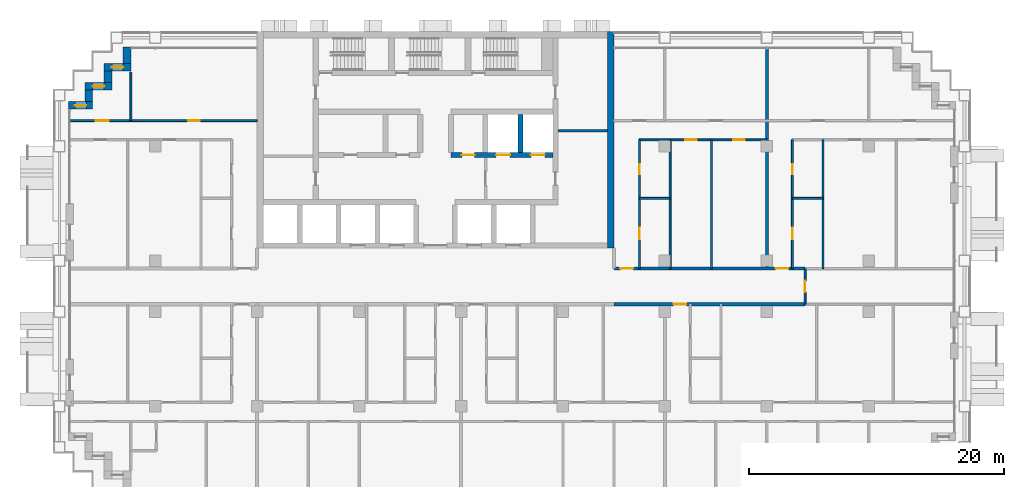
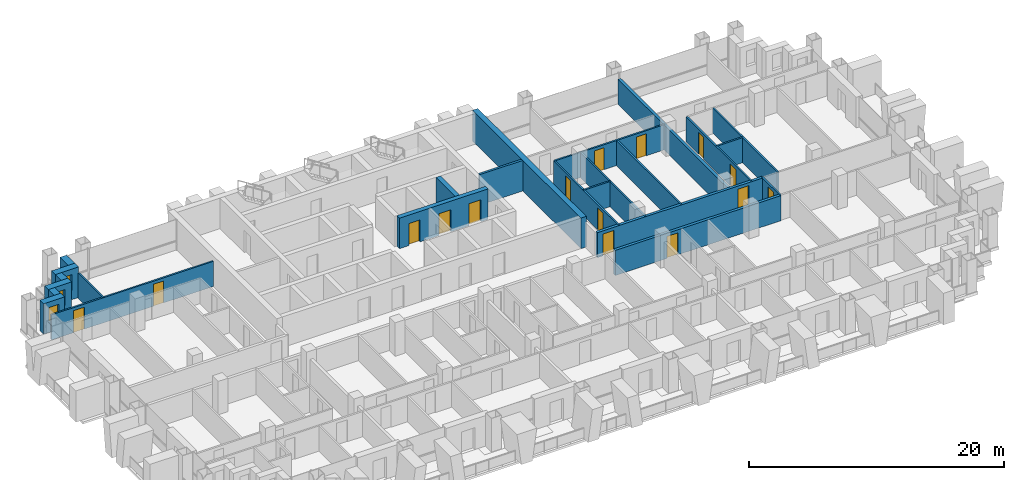
# One storey, part 12 of 18: 24 walls, 15 doors, 3 windows, 18 openings.
"""IFC4 building model written with IfcOpenShell, lengths in metres."""

import ifcopenshell
import ifcopenshell.guid

model = None  # the IFC model being written
_history = None  # IfcOwnerHistory: only IFC2X3 demands one
_inside = {}  # id of a spatial element -> (the spatial element, [elements in it])
_under = {}  # id of a project, library or spatial element -> (it, [spatial elements below it])
_declared = {}  # id of a project -> (the project, [libraries it declares])
_typed = {}  # id of a type object -> (the type object, [elements of that type])
_made_of = {}  # id of a material, layer set ... -> (it, [elements and type objects made of it])


def new_model(schema):
    """Start an empty IFC model of exactly this schema.

    Asked for "IFC4X3", IfcOpenShell would pick the latest addendum, in which some entities
    have other attributes; the version numbers below select the first issue.
    IFC2X3 requires an IfcOwnerHistory on every rooted entity: one is made here for all.
    """
    global model, _history
    if schema == "IFC4X3":
        model = ifcopenshell.file(schema_version=(4, 3, 0, 0))
    else:
        model = ifcopenshell.file(schema=schema)
    _inside.clear()
    _under.clear()
    _declared.clear()
    _typed.clear()
    _made_of.clear()
    _history = None
    if model.schema == "IFC2X3":
        org = make("IfcOrganization", Name="unknown")
        user = make(
            "IfcPersonAndOrganization",
            ThePerson=make("IfcPerson", FamilyName="unknown"),
            TheOrganization=org,
        )
        app = make(
            "IfcApplication",
            ApplicationDeveloper=org,
            Version="unknown",
            ApplicationFullName="unknown",
            ApplicationIdentifier="unknown",
        )
        _history = make(
            "IfcOwnerHistory",
            OwningUser=user,
            OwningApplication=app,
            ChangeAction="ADDED",
            CreationDate=0,
        )
    return model


def make(cls, **values):
    """One entity of the class cls with the attributes given. An attribute that is None is left unset."""
    return model.create_entity(
        cls, **{name: value for name, value in values.items() if value is not None}
    )


def rooted(cls, **values):
    """An entity with a GlobalId (a new one), such as an element, a storey or a relation."""
    return make(cls, GlobalId=ifcopenshell.guid.new(), OwnerHistory=_history, **values)


def si_unit(unit_type, name, prefix=None):
    """IfcSIUnit, for example si_unit("LENGTHUNIT", "METRE", prefix="MILLI")."""
    return make("IfcSIUnit", UnitType=unit_type, Prefix=prefix, Name=name)


def assignment(units):
    """IfcUnitAssignment: the units of a project."""
    return None if units is None else make("IfcUnitAssignment", Units=units)


def point(xyz):
    """IfcCartesianPoint."""
    return None if xyz is None else make("IfcCartesianPoint", Coordinates=xyz)


def direction(xyz):
    """IfcDirection."""
    return None if xyz is None else make("IfcDirection", DirectionRatios=xyz)


def frame(location, z_axis=None, x_axis=None):
    """IfcAxis2Placement3D, a coordinate frame: its origin and axes. An axis left out is left unset."""
    return make(
        "IfcAxis2Placement3D",
        Location=point(location),
        Axis=direction(z_axis),
        RefDirection=direction(x_axis),
    )


def frame_2d(location, x_axis=None):
    """IfcAxis2Placement2D, a coordinate frame in the plane: its origin and x axis."""
    return make(
        "IfcAxis2Placement2D", Location=point(location), RefDirection=direction(x_axis)
    )


def origin():
    """The frame at (0, 0, 0) with its axes left unset."""
    return frame((0.0, 0.0, 0.0))


def place(relative_to, where):
    """IfcLocalPlacement: puts the frame where relative to a parent placement (None: the world)."""
    return make(
        "IfcLocalPlacement", PlacementRelTo=relative_to, RelativePlacement=where
    )


def context(
    kind, dimensions, precision=None, world=None, true_north=None, identifier=None
):
    """IfcGeometricRepresentationContext, for example the 3D "Model" context."""
    return make(
        "IfcGeometricRepresentationContext",
        ContextIdentifier=identifier,
        ContextType=kind,
        CoordinateSpaceDimension=dimensions,
        Precision=precision,
        WorldCoordinateSystem=world,
        TrueNorth=true_north,
    )


def subcontext(parent, identifier, kind, view, scale=None):
    """IfcGeometricRepresentationSubContext, for example "Body" below "Model"."""
    return make(
        "IfcGeometricRepresentationSubContext",
        ContextIdentifier=identifier,
        ContextType=kind,
        ParentContext=parent,
        TargetScale=scale,
        TargetView=view,
    )


def project(units=None, contexts=None):
    """IfcProject with its units and contexts."""
    return rooted(
        "IfcProject",
        Name="project",
        RepresentationContexts=contexts,
        UnitsInContext=assignment(units),
    )


def spatial(cls, under=None, at=None, **own):
    """A site, building, storey or space (cls), placed at a placement, below another one or the project."""
    s = rooted(cls, ObjectPlacement=at, **own)
    if under is not None:
        _under.setdefault(under.id(), (under, []))[1].append(s)
    return s


def profile(cls, at=None, kind="AREA", **sizes):
    """A parametric profile (cls). Its sizes go by their IFC names, for example OverallWidth=200.0."""
    return make(cls, ProfileType=kind, Position=at, **sizes)


def rectangle(**sizes):
    """IfcRectangleProfileDef."""
    return profile("IfcRectangleProfileDef", **sizes)


def extrude(swept, where, along, depth):
    """IfcExtrudedAreaSolid: the profile swept, set in the frame where, extruded along a direction by depth."""
    return make(
        "IfcExtrudedAreaSolid",
        SweptArea=swept,
        Position=where,
        ExtrudedDirection=direction(along),
        Depth=depth,
    )


def shape(context_of_items, identifier, shape_type, items):
    """IfcShapeRepresentation: the items that make up one representation, for example the "Body"."""
    return make(
        "IfcShapeRepresentation",
        ContextOfItems=context_of_items,
        RepresentationIdentifier=identifier,
        RepresentationType=shape_type,
        Items=items,
    )


def material(Name=None, Category=None):
    """IfcMaterial."""
    return make("IfcMaterial", Name=Name, Category=Category)


def layer(
    of_material, thickness, ventilated=None, Name=None, Category=None, Priority=None
):
    """IfcMaterialLayer: one layer of a wall or slab, of a material (None: an air gap)."""
    return make(
        "IfcMaterialLayer",
        Material=of_material,
        LayerThickness=thickness,
        IsVentilated=ventilated,
        Name=Name,
        Category=Category,
        Priority=Priority,
    )


def layer_set(layers, Name=None):
    """IfcMaterialLayerSet."""
    return make("IfcMaterialLayerSet", MaterialLayers=layers, LayerSetName=Name)


def made_of(thing, what):
    """Note that an element or type object is made of a material, layer set ...; save() writes the relation."""
    if what is not None:
        _made_of.setdefault(what.id(), (what, []))[1].append(thing)
    return thing


def type_object(cls, material=None, **own):
    """A type object (cls), such as IfcWallType, which elements share."""
    return made_of(rooted(cls, **own), material)


def element(
    cls,
    number,
    at=None,
    inside=None,
    cuts=None,
    type_object=None,
    material=None,
    context=None,
    identifier="Body",
    shape_type=None,
    held_by="IfcProductDefinitionShape",
    body=None,
    shapes=None,
    **own,
):
    """One element of the class cls, such as IfcWall. Its Tag is "e" and its number.

    at: its placement. inside: the storey or other place that contains it. cuts: it is an
    opening in that element (IfcRelVoidsElement). A single representation is given by context,
    identifier, shape_type and body (its items); several are given by shapes. held_by: the class
    of the entity that holds the representations. save() writes the other relations.
    """
    e = rooted(cls, Tag="e%d" % number, ObjectPlacement=at, **own)
    if body is not None:
        shapes = [shape(context, identifier, shape_type, body)]
    if shapes is not None:
        e.Representation = make(held_by, Representations=shapes)
    if inside is not None:
        _inside.setdefault(inside.id(), (inside, []))[1].append(e)
    if cuts is not None:
        rooted(
            "IfcRelVoidsElement", RelatingBuildingElement=cuts, RelatedOpeningElement=e
        )
    if type_object is not None:
        _typed.setdefault(type_object.id(), (type_object, []))[1].append(e)
    return made_of(e, material)


def fill(opening, filler):
    """IfcRelFillsElement: the door or window that sits in an opening."""
    return rooted(
        "IfcRelFillsElement",
        RelatingOpeningElement=opening,
        RelatedBuildingElement=filler,
    )


def aggregate(whole, parts):
    """IfcRelAggregates: a whole, such as a stair, and the parts it consists of."""
    return rooted("IfcRelAggregates", RelatingObject=whole, RelatedObjects=parts)


def save(model, path):
    """Write the relations noted so far, then the file.

    IfcRelAggregates (storeys below a building ...), IfcRelContainedInSpatialStructure (elements
    in a storey), IfcRelDefinesByType, IfcRelAssociatesMaterial and IfcRelDeclares: one each for
    every whole, place, type object, material and project.
    """
    for whole, parts in _under.values():
        aggregate(whole, parts)
    for where, things in _inside.values():
        rooted(
            "IfcRelContainedInSpatialStructure",
            RelatedElements=things,
            RelatingStructure=where,
        )
    for kind, things in _typed.values():
        rooted("IfcRelDefinesByType", RelatedObjects=things, RelatingType=kind)
    for what, things in _made_of.values():
        rooted("IfcRelAssociatesMaterial", RelatedObjects=things, RelatingMaterial=what)
    for by, libraries in _declared.values():
        rooted("IfcRelDeclares", RelatingContext=by, RelatedDefinitions=libraries)
    model.write(path)


model = new_model("IFC4")

# Units and contexts
model_context = context("Model", 3, precision=1e-05, world=origin(), true_north=direction((0.0, 1.0)))
body_context = subcontext(model_context, "Body", "Model", "MODEL_VIEW")
ifc_project = project(units=[si_unit("LENGTHUNIT", "METRE"), si_unit("AREAUNIT", "SQUARE_METRE"), si_unit("VOLUMEUNIT", "CUBIC_METRE"), si_unit("PLANEANGLEUNIT", "RADIAN"), si_unit("MASSUNIT", "GRAM", prefix="KILO")], contexts=[model_context])

# Site, building, storey
site_placement = place(None, origin())
site = spatial("IfcSite", under=ifc_project, at=site_placement, CompositionType="ELEMENT")
building_placement = place(site_placement, origin())
building = spatial("IfcBuilding", under=site, at=building_placement, Name="Vidyagriha Tower", CompositionType="ELEMENT")
storey_placement = place(building_placement, frame((0.0, 0.0, 93.5)))
storey = spatial("IfcBuildingStorey", under=building, at=storey_placement, Name="L24", CompositionType="ELEMENT", Elevation=93.5)

# Wall
ifc_material_1 = material(Name="Precast concrete C40/50 with brick facing", Category="concrete")
ifc_layer_1 = layer(ifc_material_1, 0.60009765625)
ifc_layer_set_1 = layer_set([ifc_layer_1], Name="Precast concrete C40/50 with brick facing")
wall_type_1 = type_object("IfcWallType", Name="Brick-faced precast wall 600", PredefinedType="STANDARD", material=ifc_layer_set_1)
wall_1_placement = place(storey_placement, frame((-24.199951171875, 18.780029296875, 0.0), z_axis=(0.0, 0.0, 1.0), x_axis=(0.0, -1.0, 0.0)))
element("IfcWall", 1, at=wall_1_placement, inside=storey, type_object=wall_type_1, Name="Stepped corner wall L24 R10", PredefinedType="STANDARD", context=body_context, shape_type="SweptSolid", body=[
    extrude(rectangle(XDim=1.280029296875, YDim=0.60009765625, at=frame_2d((0.64013671875, 0.0))), origin(), (0.0, 0.0, 1.0), 2.919921875),
])

# Wall, opening, window
wall_2_placement = place(storey_placement, frame((-23.89990234375, 17.199951171875, 0.0), z_axis=(0.0, 0.0, 1.0), x_axis=(-1.0, 0.0, 0.0)))
wall_2 = element("IfcWall", 2, at=wall_2_placement, inside=storey, type_object=wall_type_1, Name="Stepped corner wall L24 R11", PredefinedType="STANDARD", context=body_context, shape_type="SweptSolid", body=[
    extrude(rectangle(XDim=2.10009765625, YDim=0.60009765625, at=frame_2d((1.050048828125, 0.0))), origin(), (0.0, 0.0, 1.0), 2.919921875),
])
opening_1_placement = place(wall_2_placement, frame((0.60009765625, 0.0, 0.89990234375)))
opening_1 = element("IfcOpeningElement", 3, at=opening_1_placement, cuts=wall_2, Name="Opening WN1", PredefinedType="OPENING", context=body_context, shape_type="SweptSolid", body=[
    extrude(rectangle(XDim=0.89990234375, YDim=1.5, at=frame_2d((0.449951171875, 0.75))), frame((0.0, 0.31005859375, 0.0), z_axis=(0.0, -1.0, 0.0), x_axis=(1.0, 0.0, 0.0)), (0.0, 0.0, 1.0), 0.6201171875),
])
ifc_material_2 = material(Name="Aluminium and glass window", Category="aluminium")
window_type = type_object("IfcWindowType", Name="Reveal window 900x1500", PartitioningType="NOTDEFINED", PredefinedType="WINDOW", material=ifc_material_2)
window_1_placement = place(opening_1_placement, origin())
window_1 = element("IfcWindow", 4, at=window_1_placement, inside=storey, type_object=window_type, Name="Reveal window L24 R11", OverallHeight=1.5, OverallWidth=0.89990234375, PartitioningType="SINGLE_PANEL", PredefinedType="WINDOW", context=body_context, shape_type="SweptSolid", body=[
    extrude(rectangle(XDim=0.89990234375, YDim=1.5, at=frame_2d((0.449951171875, 0.75))), frame((0.0, 0.030029296875, 0.0), z_axis=(0.0, -1.0, 0.0), x_axis=(1.0, 0.0, 0.0)), (0.0, 0.0, 1.0), 0.06005859375),
])
fill(opening_1, window_1)

# Wall
wall_3_placement = place(storey_placement, frame((-25.699951171875, 16.89990234375, 0.0), z_axis=(0.0, 0.0, 1.0), x_axis=(0.0, -1.0, 0.0)))
element("IfcWall", 5, at=wall_3_placement, inside=storey, type_object=wall_type_1, Name="Stepped corner wall L24 R12", PredefinedType="STANDARD", context=body_context, shape_type="SweptSolid", body=[
    extrude(rectangle(XDim=0.89990234375, YDim=0.60009765625, at=frame_2d((0.449951171875, 0.0))), origin(), (0.0, 0.0, 1.0), 2.919921875),
])

# Wall, opening, window
wall_4_placement = place(storey_placement, frame((-25.39990234375, 15.699951171875, 0.0), z_axis=(0.0, 0.0, 1.0), x_axis=(-1.0, 0.0, 0.0)))
wall_4 = element("IfcWall", 6, at=wall_4_placement, inside=storey, type_object=wall_type_1, Name="Stepped corner wall L24 R13", PredefinedType="STANDARD", context=body_context, shape_type="SweptSolid", body=[
    extrude(rectangle(XDim=2.10009765625, YDim=0.60009765625, at=frame_2d((1.050048828125, 0.0))), origin(), (0.0, 0.0, 1.0), 2.919921875),
])
opening_2_placement = place(wall_4_placement, frame((0.60009765625, 0.0, 0.89990234375)))
opening_2 = element("IfcOpeningElement", 7, at=opening_2_placement, cuts=wall_4, Name="Opening WN1", PredefinedType="OPENING", context=body_context, shape_type="SweptSolid", body=[
    extrude(rectangle(XDim=0.89990234375, YDim=1.5, at=frame_2d((0.449951171875, 0.75))), frame((0.0, 0.31005859375, 0.0), z_axis=(0.0, -1.0, 0.0), x_axis=(1.0, 0.0, 0.0)), (0.0, 0.0, 1.0), 0.6201171875),
])
window_2_placement = place(opening_2_placement, origin())
window_2 = element("IfcWindow", 8, at=window_2_placement, inside=storey, type_object=window_type, Name="Reveal window L24 R13", OverallHeight=1.5, OverallWidth=0.89990234375, PartitioningType="SINGLE_PANEL", PredefinedType="WINDOW", context=body_context, shape_type="SweptSolid", body=[
    extrude(rectangle(XDim=0.89990234375, YDim=1.5, at=frame_2d((0.449951171875, 0.75))), frame((0.0, 0.030029296875, 0.0), z_axis=(0.0, -1.0, 0.0), x_axis=(1.0, 0.0, 0.0)), (0.0, 0.0, 1.0), 0.06005859375),
])
fill(opening_2, window_2)

# Wall
wall_5_placement = place(storey_placement, frame((-27.199951171875, 15.39990234375, 0.0), z_axis=(0.0, 0.0, 1.0), x_axis=(0.0, -1.0, 0.0)))
element("IfcWall", 9, at=wall_5_placement, inside=storey, type_object=wall_type_1, Name="Stepped corner wall L24 R14", PredefinedType="STANDARD", context=body_context, shape_type="SweptSolid", body=[
    extrude(rectangle(XDim=0.89990234375, YDim=0.60009765625, at=frame_2d((0.449951171875, 0.0))), origin(), (0.0, 0.0, 1.0), 2.919921875),
])

# Wall, opening, window
wall_6_placement = place(storey_placement, frame((-26.89990234375, 14.199951171875, 0.0), z_axis=(0.0, 0.0, 1.0), x_axis=(-1.0, 0.0, 0.0)))
wall_6 = element("IfcWall", 10, at=wall_6_placement, inside=storey, type_object=wall_type_1, Name="Stepped corner wall L24 R15", PredefinedType="STANDARD", context=body_context, shape_type="SweptSolid", body=[
    extrude(rectangle(XDim=1.880126953125, YDim=0.60009765625, at=frame_2d((0.93994140625, 0.0))), origin(), (0.0, 0.0, 1.0), 2.919921875),
])
opening_3_placement = place(wall_6_placement, frame((0.489990234375, 0.0, 0.89990234375)))
opening_3 = element("IfcOpeningElement", 11, at=opening_3_placement, cuts=wall_6, Name="Opening WN1", PredefinedType="OPENING", context=body_context, shape_type="SweptSolid", body=[
    extrude(rectangle(XDim=0.89990234375, YDim=1.5, at=frame_2d((0.449951171875, 0.75))), frame((0.0, 0.31005859375, 0.0), z_axis=(0.0, -1.0, 0.0), x_axis=(1.0, 0.0, 0.0)), (0.0, 0.0, 1.0), 0.6201171875),
])
window_3_placement = place(opening_3_placement, origin())
window_3 = element("IfcWindow", 12, at=window_3_placement, inside=storey, type_object=window_type, Name="Reveal window L24 R15", OverallHeight=1.5, OverallWidth=0.89990234375, PartitioningType="SINGLE_PANEL", PredefinedType="WINDOW", context=body_context, shape_type="SweptSolid", body=[
    extrude(rectangle(XDim=0.89990234375, YDim=1.5, at=frame_2d((0.449951171875, 0.75))), frame((0.0, 0.030029296875, 0.0), z_axis=(0.0, -1.0, 0.0), x_axis=(1.0, 0.0, 0.0)), (0.0, 0.0, 1.0), 0.06005859375),
])
fill(opening_3, window_3)

# Wall, openings, doors
ifc_material_3 = material(Name="Concrete C60/75", Category="concrete")
ifc_layer_2 = layer(ifc_material_3, 0.39990234375)
ifc_layer_set_2 = layer_set([ifc_layer_2], Name="Concrete C60/75")
wall_type_2 = type_object("IfcWallType", Name="Core shear wall 400 mm", PredefinedType="SHEAR", material=ifc_layer_set_2)
wall_7_placement = place(storey_placement, frame((1.199951171875, 10.300048828125, 0.0)))
wall_7 = element("IfcWall", 13, at=wall_7_placement, inside=storey, type_object=wall_type_2, Name="Core row N front wall", PredefinedType="SHEAR", context=body_context, shape_type="SweptSolid", body=[
    extrude(rectangle(XDim=8.0, YDim=0.39990234375, at=frame_2d((4.0, 0.0))), origin(), (0.0, 0.0, 1.0), 2.919921875),
])
opening_4_placement = place(wall_7_placement, frame((3.550048828125, 0.0, 0.0)))
opening_4 = element("IfcOpeningElement", 14, at=opening_4_placement, cuts=wall_7, Name="Opening LD24-05", PredefinedType="OPENING", context=body_context, shape_type="SweptSolid", body=[
    extrude(rectangle(XDim=1.10009765625, YDim=2.10009765625, at=frame_2d((0.550048828125, 1.050048828125))), frame((0.0, 0.2099609375, 0.0), z_axis=(0.0, -1.0, 0.0), x_axis=(1.0, 0.0, 0.0)), (0.0, 0.0, 1.0), 0.419921875),
])
opening_5_placement = place(wall_7_placement, frame((6.283203125, 0.0, 0.0)))
opening_5 = element("IfcOpeningElement", 15, at=opening_5_placement, cuts=wall_7, Name="Opening LD24-06", PredefinedType="OPENING", context=body_context, shape_type="SweptSolid", body=[
    extrude(rectangle(XDim=1.10009765625, YDim=2.10009765625, at=frame_2d((0.550048828125, 1.050048828125))), frame((0.0, 0.2099609375, 0.0), z_axis=(0.0, -1.0, 0.0), x_axis=(1.0, 0.0, 0.0)), (0.0, 0.0, 1.0), 0.419921875),
])
opening_6_placement = place(wall_7_placement, frame((0.86669921875, 0.0, 0.0)))
opening_6 = element("IfcOpeningElement", 16, at=opening_6_placement, cuts=wall_7, Name="Opening D24-04", PredefinedType="OPENING", context=body_context, shape_type="SweptSolid", body=[
    extrude(rectangle(XDim=1.0, YDim=2.10009765625, at=frame_2d((0.5, 1.050048828125))), frame((0.0, 0.2099609375, 0.0), z_axis=(0.0, -1.0, 0.0), x_axis=(1.0, 0.0, 0.0)), (0.0, 0.0, 1.0), 0.419921875),
])
ifc_material_4 = material(Name="Hollow metal door leaf")
door_type_1 = type_object("IfcDoorType", Name="Core room door 1000 x 2100 mm EI 60", OperationType="NOTDEFINED", PredefinedType="DOOR", material=ifc_material_4)
door_1_placement = place(opening_6_placement, frame((1.0, 0.0, 0.0), z_axis=(0.0, 0.0, 1.0), x_axis=(-1.0, 0.0, 0.0)))
door_1 = element("IfcDoor", 17, at=door_1_placement, inside=storey, type_object=door_type_1, Name="Door Electrical Room 24.16", OperationType="SINGLE_SWING_LEFT", OverallHeight=2.10009765625, OverallWidth=1.0, PredefinedType="DOOR", context=body_context, shape_type="SweptSolid", body=[
    extrude(rectangle(XDim=1.0, YDim=2.10009765625, at=frame_2d((0.5, 1.050048828125))), frame((0.0, 0.02490234375, 0.0), z_axis=(0.0, -1.0, 0.0), x_axis=(1.0, 0.0, 0.0)), (0.0, 0.0, 1.0), 0.050048828125),
])
fill(opening_6, door_1)
ifc_material_5 = material(Name="Stainless steel sliding door panel", Category="steel")
door_type_2 = type_object("IfcDoorType", Name="Lift landing door 1100 x 2100 mm EI 90", OperationType="NOTDEFINED", PredefinedType="DOOR", material=ifc_material_5)
door_2_placement = place(opening_4_placement, origin())
door_2 = element("IfcDoor", 18, at=door_2_placement, inside=storey, type_object=door_type_2, Name="Landing door FF1 L24", OperationType="SLIDING_TO_LEFT", OverallHeight=2.10009765625, OverallWidth=1.10009765625, PredefinedType="DOOR", context=body_context, shape_type="SweptSolid", body=[
    extrude(rectangle(XDim=1.10009765625, YDim=2.10009765625, at=frame_2d((0.550048828125, 1.050048828125))), frame((0.0, 0.02490234375, 0.0), z_axis=(0.0, -1.0, 0.0), x_axis=(1.0, 0.0, 0.0)), (0.0, 0.0, 1.0), 0.050048828125),
])
fill(opening_4, door_2)
door_3_placement = place(opening_5_placement, origin())
door_3 = element("IfcDoor", 19, at=door_3_placement, inside=storey, type_object=door_type_2, Name="Landing door FF2 L24", OperationType="SLIDING_TO_LEFT", OverallHeight=2.10009765625, OverallWidth=1.10009765625, PredefinedType="DOOR", context=body_context, shape_type="SweptSolid", body=[
    extrude(rectangle(XDim=1.10009765625, YDim=2.10009765625, at=frame_2d((0.550048828125, 1.050048828125))), frame((0.0, 0.02490234375, 0.0), z_axis=(0.0, -1.0, 0.0), x_axis=(1.0, 0.0, 0.0)), (0.0, 0.0, 1.0), 0.050048828125),
])
fill(opening_5, door_3)

# Walls
wall_8_placement = place(storey_placement, frame((6.666748046875, 10.5, 0.0), z_axis=(0.0, 0.0, 1.0), x_axis=(0.0, 1.0, 0.0)))
element("IfcWall", 20, at=wall_8_placement, inside=storey, type_object=wall_type_2, Name="Core bay wall N6", PredefinedType="SHEAR", context=body_context, shape_type="SweptSolid", body=[
    extrude(rectangle(XDim=3.0, YDim=0.39990234375, at=frame_2d((1.5, 0.0))), origin(), (0.0, 0.0, 1.0), 2.919921875),
])
ifc_material_6 = material(Name="Concrete C60/75", Category="concrete")
ifc_layer_3 = layer(ifc_material_6, 0.5)
ifc_layer_set_3 = layer_set([ifc_layer_3], Name="Concrete C60/75")
wall_type_3 = type_object("IfcWallType", Name="Core shear wall 500 mm", PredefinedType="SHEAR", material=ifc_layer_set_3)
wall_9_placement = place(storey_placement, frame((13.75, 3.0, 0.0), z_axis=(0.0, 0.0, 1.0), x_axis=(0.0, 1.0, 0.0)))
element("IfcWall", 21, at=wall_9_placement, inside=storey, type_object=wall_type_3, Name="Core east wall", PredefinedType="SHEAR", context=body_context, shape_type="SweptSolid", body=[
    extrude(rectangle(XDim=17.0, YDim=0.5, at=frame_2d((8.5, 0.0))), origin(), (0.0, 0.0, 1.0), 2.919921875),
])

# Wall, opening, door
ifc_material_7 = material(Name="Fired clay brick masonry", Category="masonry")
ifc_layer_4 = layer(ifc_material_7, 0.25)
ifc_layer_set_4 = layer_set([ifc_layer_4], Name="Fired clay brick masonry")
wall_type_4 = type_object("IfcWallType", Name="Fired clay brick corridor wall 250", PredefinedType="PARTITIONING", material=ifc_layer_set_4)
wall_10_placement = place(storey_placement, frame((29.0, -1.39990234375, 0.0), z_axis=(0.0, 0.0, 1.0), x_axis=(-1.0, 0.0, 0.0)))
wall_10 = element("IfcWall", 22, at=wall_10_placement, inside=storey, type_object=wall_type_4, Name="Wall all-L24-w082", PredefinedType="PARTITIONING", context=body_context, shape_type="SweptSolid", body=[
    extrude(rectangle(XDim=15.0, YDim=0.25, at=frame_2d((7.5, 0.0))), origin(), (0.0, 0.0, 1.0), 2.39990234375),
])
opening_7_placement = place(wall_10_placement, frame((9.31103515625, 0.0, 0.0)))
opening_7 = element("IfcOpeningElement", 23, at=opening_7_placement, cuts=wall_10, Name="Opening D24-50", PredefinedType="OPENING", context=body_context, shape_type="SweptSolid", body=[
    extrude(rectangle(XDim=1.0, YDim=2.10009765625, at=frame_2d((0.5, 1.050048828125))), frame((0.0, 0.135009765625, 0.0), z_axis=(0.0, -1.0, 0.0), x_axis=(1.0, 0.0, 0.0)), (0.0, 0.0, 1.0), 0.27001953125),
])
ifc_material_8 = material(Name="Fire-rated timber door leaf EI 60", Category="wood")
door_type_3 = type_object("IfcDoorType", Name="Flat entrance fire door 1000x2100", OperationType="NOTDEFINED", PredefinedType="DOOR", material=ifc_material_8)
door_4_placement = place(opening_7_placement, origin())
door_4 = element("IfcDoor", 24, at=door_4_placement, inside=storey, type_object=door_type_3, Name="Door D24-50", OperationType="SINGLE_SWING_RIGHT", OverallHeight=2.10009765625, OverallWidth=1.0, PredefinedType="DOOR", context=body_context, shape_type="SweptSolid", body=[
    extrude(rectangle(XDim=1.0, YDim=2.10009765625, at=frame_2d((0.5, 1.050048828125))), frame((0.0, 0.02490234375, 0.0), z_axis=(0.0, -1.0, 0.0), x_axis=(1.0, 0.0, 0.0)), (0.0, 0.0, 1.0), 0.050048828125),
])
fill(opening_7, door_4)

# Wall, openings, doors
wall_11_placement = place(storey_placement, frame((14.0, 1.39990234375, 0.0)))
wall_11 = element("IfcWall", 25, at=wall_11_placement, inside=storey, type_object=wall_type_4, Name="Wall all-L24-w128", PredefinedType="PARTITIONING", context=body_context, shape_type="SweptSolid", body=[
    extrude(rectangle(XDim=15.0, YDim=0.25, at=frame_2d((7.5, 0.0))), origin(), (0.0, 0.0, 1.0), 2.39990234375),
])
opening_8_placement = place(wall_11_placement, frame((0.5, 0.0, 0.0)))
opening_8 = element("IfcOpeningElement", 26, at=opening_8_placement, cuts=wall_11, Name="Opening D24-64", PredefinedType="OPENING", context=body_context, shape_type="SweptSolid", body=[
    extrude(rectangle(XDim=1.0, YDim=2.10009765625, at=frame_2d((0.5, 1.050048828125))), frame((0.0, 0.135009765625, 0.0), z_axis=(0.0, -1.0, 0.0), x_axis=(1.0, 0.0, 0.0)), (0.0, 0.0, 1.0), 0.27001953125),
])
opening_9_placement = place(wall_11_placement, frame((12.68896484375, 0.0, 0.0)))
opening_9 = element("IfcOpeningElement", 27, at=opening_9_placement, cuts=wall_11, Name="Opening D24-71", PredefinedType="OPENING", context=body_context, shape_type="SweptSolid", body=[
    extrude(rectangle(XDim=1.0, YDim=2.10009765625, at=frame_2d((0.5, 1.050048828125))), frame((0.0, 0.135009765625, 0.0), z_axis=(0.0, -1.0, 0.0), x_axis=(1.0, 0.0, 0.0)), (0.0, 0.0, 1.0), 0.27001953125),
])
door_5_placement = place(opening_8_placement, origin())
door_5 = element("IfcDoor", 28, at=door_5_placement, inside=storey, type_object=door_type_3, Name="Door D24-64", OperationType="SINGLE_SWING_LEFT", OverallHeight=2.10009765625, OverallWidth=1.0, PredefinedType="DOOR", context=body_context, shape_type="SweptSolid", body=[
    extrude(rectangle(XDim=1.0, YDim=2.10009765625, at=frame_2d((0.5, 1.050048828125))), frame((0.0, 0.02490234375, 0.0), z_axis=(0.0, -1.0, 0.0), x_axis=(1.0, 0.0, 0.0)), (0.0, 0.0, 1.0), 0.050048828125),
])
fill(opening_8, door_5)
door_6_placement = place(opening_9_placement, origin())
door_6 = element("IfcDoor", 29, at=door_6_placement, inside=storey, type_object=door_type_3, Name="Door D24-71", OperationType="SINGLE_SWING_LEFT", OverallHeight=2.10009765625, OverallWidth=1.0, PredefinedType="DOOR", context=body_context, shape_type="SweptSolid", body=[
    extrude(rectangle(XDim=1.0, YDim=2.10009765625, at=frame_2d((0.5, 1.050048828125))), frame((0.0, 0.02490234375, 0.0), z_axis=(0.0, -1.0, 0.0), x_axis=(1.0, 0.0, 0.0)), (0.0, 0.0, 1.0), 0.050048828125),
])
fill(opening_9, door_6)

# Wall
ifc_material_9 = material(Name="Fired clay brick masonry", Category="masonry")
ifc_layer_5 = layer(ifc_material_9, 0.25)
ifc_layer_set_5 = layer_set([ifc_layer_5], Name="Fired clay brick masonry")
wall_type_5 = type_object("IfcWallType", Name="Fired clay brick demising wall 250", PredefinedType="PARTITIONING", material=ifc_layer_set_5)
wall_12_placement = place(storey_placement, frame((26.0, 18.62109375, 0.0), z_axis=(0.0, 0.0, 1.0), x_axis=(0.0, -1.0, 0.0)))
element("IfcWall", 30, at=wall_12_placement, inside=storey, type_object=wall_type_5, Name="Wall all-L24-w127", PredefinedType="PARTITIONING", context=body_context, shape_type="SweptSolid", body=[
    extrude(rectangle(XDim=17.22119140625, YDim=0.25, at=frame_2d((8.610595703125, 0.0))), origin(), (0.0, 0.0, 1.0), 2.39990234375),
])

# Wall, openings, doors
ifc_material_10 = material(Name="Gypsum board partition")
ifc_layer_6 = layer(ifc_material_10, 0.14990234375)
ifc_layer_set_6 = layer_set([ifc_layer_6], Name="Gypsum board partition")
wall_type_6 = type_object("IfcWallType", Name="Gypsum board partition 150", PredefinedType="PARTITIONING", material=ifc_layer_set_6)
wall_13_placement = place(storey_placement, frame((-28.6201171875, 13.0, 0.0)))
wall_13 = element("IfcWall", 31, at=wall_13_placement, inside=storey, type_object=wall_type_6, Name="Wall all-L24-w093", PredefinedType="PARTITIONING", context=body_context, shape_type="SweptSolid", body=[
    extrude(rectangle(XDim=14.6201171875, YDim=0.14990234375, at=frame_2d((7.31005859375, 0.0))), origin(), (0.0, 0.0, 1.0), 2.39990234375),
])
opening_10_placement = place(wall_13_placement, frame((1.969970703125, 0.0, 0.0)))
opening_10 = element("IfcOpeningElement", 32, at=opening_10_placement, cuts=wall_13, Name="Opening D24-55", PredefinedType="OPENING", context=body_context, shape_type="SweptSolid", body=[
    extrude(rectangle(XDim=1.0, YDim=2.10009765625, at=frame_2d((0.5, 1.050048828125))), frame((0.0, 0.0849609375, 0.0), z_axis=(0.0, -1.0, 0.0), x_axis=(1.0, 0.0, 0.0)), (0.0, 0.0, 1.0), 0.169921875),
])
opening_11_placement = place(wall_13_placement, frame((9.219970703125, 0.0, 0.0)))
opening_11 = element("IfcOpeningElement", 33, at=opening_11_placement, cuts=wall_13, Name="Opening D24-56", PredefinedType="OPENING", context=body_context, shape_type="SweptSolid", body=[
    extrude(rectangle(XDim=0.89990234375, YDim=2.10009765625, at=frame_2d((0.449951171875, 1.050048828125))), frame((0.0, 0.0849609375, 0.0), z_axis=(0.0, -1.0, 0.0), x_axis=(1.0, 0.0, 0.0)), (0.0, 0.0, 1.0), 0.169921875),
])
ifc_material_11 = material(Name="Timber door leaf", Category="wood")
door_type_4 = type_object("IfcDoorType", Name="Room door 1000x2100", OperationType="NOTDEFINED", PredefinedType="DOOR", material=ifc_material_11)
door_7_placement = place(opening_10_placement, origin())
door_7 = element("IfcDoor", 34, at=door_7_placement, inside=storey, type_object=door_type_4, Name="Door D24-55", OperationType="SINGLE_SWING_RIGHT", OverallHeight=2.10009765625, OverallWidth=1.0, PredefinedType="DOOR", context=body_context, shape_type="SweptSolid", body=[
    extrude(rectangle(XDim=1.0, YDim=2.10009765625, at=frame_2d((0.5, 1.050048828125))), frame((0.0, 0.02490234375, 0.0), z_axis=(0.0, -1.0, 0.0), x_axis=(1.0, 0.0, 0.0)), (0.0, 0.0, 1.0), 0.050048828125),
])
fill(opening_10, door_7)
ifc_material_12 = material(Name="Timber door leaf", Category="wood")
door_type_5 = type_object("IfcDoorType", Name="Room door 900x2100", OperationType="NOTDEFINED", PredefinedType="DOOR", material=ifc_material_12)
door_8_placement = place(opening_11_placement, origin())
door_8 = element("IfcDoor", 35, at=door_8_placement, inside=storey, type_object=door_type_5, Name="Door D24-56", OperationType="SINGLE_SWING_RIGHT", OverallHeight=2.10009765625, OverallWidth=0.89990234375, PredefinedType="DOOR", context=body_context, shape_type="SweptSolid", body=[
    extrude(rectangle(XDim=0.89990234375, YDim=2.10009765625, at=frame_2d((0.449951171875, 1.050048828125))), frame((0.0, 0.02490234375, 0.0), z_axis=(0.0, -1.0, 0.0), x_axis=(1.0, 0.0, 0.0)), (0.0, 0.0, 1.0), 0.050048828125),
])
fill(opening_11, door_8)

# Walls
wall_14_placement = place(storey_placement, frame((-23.89990234375, 16.820068359375, 0.0), z_axis=(0.0, 0.0, 1.0), x_axis=(0.0, -1.0, 0.0)))
element("IfcWall", 36, at=wall_14_placement, inside=storey, type_object=wall_type_6, Name="Wall all-L24-w096", PredefinedType="PARTITIONING", context=body_context, shape_type="SweptSolid", body=[
    extrude(rectangle(XDim=3.820068359375, YDim=0.14990234375, at=frame_2d((1.91015625, 0.0))), origin(), (0.0, 0.0, 1.0), 2.39990234375),
])
wall_15_placement = place(storey_placement, frame((16.0, 6.89990234375, 0.0)))
element("IfcWall", 37, at=wall_15_placement, inside=storey, type_object=wall_type_6, Name="Wall all-L24-w102", PredefinedType="PARTITIONING", context=body_context, shape_type="SweptSolid", body=[
    extrude(rectangle(XDim=2.39990234375, YDim=0.14990234375, at=frame_2d((1.199951171875, 0.0))), origin(), (0.0, 0.0, 1.0), 2.39990234375),
])
for number, where, z_axis, x_axis, name in (
    (38, (18.39990234375, 11.5, 0.0), (0.0, 0.0, 1.0), (0.0, -1.0, 0.0), "Wall all-L24-w103"),
    (39, (21.64990234375, 11.5, 0.0), (0.0, 0.0, 1.0), (0.0, -1.0, 0.0), "Wall all-L24-w104"),
):
    element("IfcWall", number, at=place(storey_placement, frame(where, z_axis=z_axis, x_axis=x_axis)), inside=storey, type_object=wall_type_6, Name=name, PredefinedType="PARTITIONING", context=body_context, shape_type="SweptSolid", body=[
        extrude(rectangle(XDim=10.10009765625, YDim=0.14990234375, at=frame_2d((5.050048828125, 0.0))), origin(), (0.0, 0.0, 1.0), 2.39990234375),
    ])

# Wall, openings, doors
wall_16_placement = place(storey_placement, frame((26.0, 11.5, 0.0), z_axis=(0.0, 0.0, 1.0), x_axis=(-1.0, 0.0, 0.0)))
wall_16 = element("IfcWall", 40, at=wall_16_placement, inside=storey, type_object=wall_type_6, Name="Wall all-L24-w105", PredefinedType="PARTITIONING", context=body_context, shape_type="SweptSolid", body=[
    extrude(rectangle(XDim=10.0, YDim=0.14990234375, at=frame_2d((5.0, 0.0))), origin(), (0.0, 0.0, 1.0), 2.39990234375),
])
opening_12_placement = place(wall_16_placement, frame((5.52490234375, 0.0, 0.0)))
opening_12 = element("IfcOpeningElement", 41, at=opening_12_placement, cuts=wall_16, Name="Opening D24-60", PredefinedType="OPENING", context=body_context, shape_type="SweptSolid", body=[
    extrude(rectangle(XDim=0.89990234375, YDim=2.10009765625, at=frame_2d((0.449951171875, 1.050048828125))), frame((0.0, 0.0849609375, 0.0), z_axis=(0.0, -1.0, 0.0), x_axis=(1.0, 0.0, 0.0)), (0.0, 0.0, 1.0), 0.169921875),
])
opening_13_placement = place(wall_16_placement, frame((1.72509765625, 0.0, 0.0)))
opening_13 = element("IfcOpeningElement", 42, at=opening_13_placement, cuts=wall_16, Name="Opening D24-61", PredefinedType="OPENING", context=body_context, shape_type="SweptSolid", body=[
    extrude(rectangle(XDim=0.89990234375, YDim=2.10009765625, at=frame_2d((0.449951171875, 1.050048828125))), frame((0.0, 0.0849609375, 0.0), z_axis=(0.0, -1.0, 0.0), x_axis=(1.0, 0.0, 0.0)), (0.0, 0.0, 1.0), 0.169921875),
])
door_9_placement = place(opening_12_placement, origin())
door_9 = element("IfcDoor", 43, at=door_9_placement, inside=storey, type_object=door_type_5, Name="Door D24-60", OperationType="SINGLE_SWING_RIGHT", OverallHeight=2.10009765625, OverallWidth=0.89990234375, PredefinedType="DOOR", context=body_context, shape_type="SweptSolid", body=[
    extrude(rectangle(XDim=0.89990234375, YDim=2.10009765625, at=frame_2d((0.449951171875, 1.050048828125))), frame((0.0, 0.02490234375, 0.0), z_axis=(0.0, -1.0, 0.0), x_axis=(1.0, 0.0, 0.0)), (0.0, 0.0, 1.0), 0.050048828125),
])
fill(opening_12, door_9)
door_10_placement = place(opening_13_placement, origin())
door_10 = element("IfcDoor", 44, at=door_10_placement, inside=storey, type_object=door_type_5, Name="Door D24-61", OperationType="SINGLE_SWING_RIGHT", OverallHeight=2.10009765625, OverallWidth=0.89990234375, PredefinedType="DOOR", context=body_context, shape_type="SweptSolid", body=[
    extrude(rectangle(XDim=0.89990234375, YDim=2.10009765625, at=frame_2d((0.449951171875, 1.050048828125))), frame((0.0, 0.02490234375, 0.0), z_axis=(0.0, -1.0, 0.0), x_axis=(1.0, 0.0, 0.0)), (0.0, 0.0, 1.0), 0.050048828125),
])
fill(opening_13, door_10)

# Walls
wall_17_placement = place(storey_placement, frame((28.0, 6.89990234375, 0.0)))
element("IfcWall", 45, at=wall_17_placement, inside=storey, type_object=wall_type_6, Name="Wall all-L24-w116", PredefinedType="PARTITIONING", context=body_context, shape_type="SweptSolid", body=[
    extrude(rectangle(XDim=2.39990234375, YDim=0.14990234375, at=frame_2d((1.199951171875, 0.0))), origin(), (0.0, 0.0, 1.0), 2.39990234375),
])
wall_18_placement = place(storey_placement, frame((30.39990234375, 11.5, 0.0), z_axis=(0.0, 0.0, 1.0), x_axis=(0.0, -1.0, 0.0)))
element("IfcWall", 46, at=wall_18_placement, inside=storey, type_object=wall_type_6, Name="Wall all-L24-w117", PredefinedType="PARTITIONING", context=body_context, shape_type="SweptSolid", body=[
    extrude(rectangle(XDim=10.10009765625, YDim=0.14990234375, at=frame_2d((5.050048828125, 0.0))), origin(), (0.0, 0.0, 1.0), 2.39990234375),
])

# Wall, opening, door
wall_19_placement = place(storey_placement, frame((29.0, -1.39990234375, 0.0), z_axis=(0.0, 0.0, 1.0), x_axis=(0.0, 1.0, 0.0)))
wall_19 = element("IfcWall", 47, at=wall_19_placement, inside=storey, type_object=wall_type_6, Name="Wall all-L24-w130", PredefinedType="PARTITIONING", context=body_context, shape_type="SweptSolid", body=[
    extrude(rectangle(XDim=2.7998046875, YDim=0.14990234375, at=frame_2d((1.39990234375, 0.0))), origin(), (0.0, 0.0, 1.0), 2.39990234375),
])
opening_14_placement = place(wall_19_placement, frame((0.949951171875, 0.0, 0.0)))
opening_14 = element("IfcOpeningElement", 48, at=opening_14_placement, cuts=wall_19, Name="Opening D24-72", PredefinedType="OPENING", context=body_context, shape_type="SweptSolid", body=[
    extrude(rectangle(XDim=0.89990234375, YDim=2.10009765625, at=frame_2d((0.449951171875, 1.050048828125))), frame((0.0, 0.0849609375, 0.0), z_axis=(0.0, -1.0, 0.0), x_axis=(1.0, 0.0, 0.0)), (0.0, 0.0, 1.0), 0.169921875),
])
door_11_placement = place(opening_14_placement, origin())
door_11 = element("IfcDoor", 49, at=door_11_placement, inside=storey, type_object=door_type_5, Name="Door D24-72", OperationType="SINGLE_SWING_RIGHT", OverallHeight=2.10009765625, OverallWidth=0.89990234375, PredefinedType="DOOR", context=body_context, shape_type="SweptSolid", body=[
    extrude(rectangle(XDim=0.89990234375, YDim=2.10009765625, at=frame_2d((0.449951171875, 1.050048828125))), frame((0.0, 0.02490234375, 0.0), z_axis=(0.0, -1.0, 0.0), x_axis=(1.0, 0.0, 0.0)), (0.0, 0.0, 1.0), 0.050048828125),
])
fill(opening_14, door_11)

# Wall, openings, doors
ifc_material_13 = material(Name="Moisture resistant gypsum board partition")
ifc_layer_7 = layer(ifc_material_13, 0.14990234375)
ifc_layer_set_7 = layer_set([ifc_layer_7], Name="Moisture resistant gypsum board partition")
wall_type_7 = type_object("IfcWallType", Name="Gypsum board wet-area partition 150", PredefinedType="PARTITIONING", material=ifc_layer_set_7)
wall_20_placement = place(storey_placement, frame((16.0, 11.5, 0.0), z_axis=(0.0, 0.0, 1.0), x_axis=(0.0, -1.0, 0.0)))
wall_20 = element("IfcWall", 50, at=wall_20_placement, inside=storey, type_object=wall_type_7, Name="Wall all-L24-w099", PredefinedType="PARTITIONING", context=body_context, shape_type="SweptSolid", body=[
    extrude(rectangle(XDim=10.10009765625, YDim=0.14990234375, at=frame_2d((5.050048828125, 0.0))), origin(), (0.0, 0.0, 1.0), 2.39990234375),
])
opening_15_placement = place(wall_20_placement, frame((6.89990234375, 0.0, 0.0)))
opening_15 = element("IfcOpeningElement", 51, at=opening_15_placement, cuts=wall_20, Name="Opening D24-58", PredefinedType="OPENING", context=body_context, shape_type="SweptSolid", body=[
    extrude(rectangle(XDim=0.89990234375, YDim=2.10009765625, at=frame_2d((0.449951171875, 1.050048828125))), frame((0.0, 0.0849609375, 0.0), z_axis=(0.0, -1.0, 0.0), x_axis=(1.0, 0.0, 0.0)), (0.0, 0.0, 1.0), 0.169921875),
])
opening_16_placement = place(wall_20_placement, frame((1.89990234375, 0.0, 0.0)))
opening_16 = element("IfcOpeningElement", 52, at=opening_16_placement, cuts=wall_20, Name="Opening D24-59", PredefinedType="OPENING", context=body_context, shape_type="SweptSolid", body=[
    extrude(rectangle(XDim=0.800048828125, YDim=2.10009765625, at=frame_2d((0.39990234375, 1.050048828125))), frame((0.0, 0.0849609375, 0.0), z_axis=(0.0, -1.0, 0.0), x_axis=(1.0, 0.0, 0.0)), (0.0, 0.0, 1.0), 0.169921875),
])
ifc_material_14 = material(Name="Timber door leaf", Category="wood")
door_type_6 = type_object("IfcDoorType", Name="Bathroom door 800x2100", OperationType="NOTDEFINED", PredefinedType="DOOR", material=ifc_material_14)
door_12_placement = place(opening_16_placement, origin())
door_12 = element("IfcDoor", 53, at=door_12_placement, inside=storey, type_object=door_type_6, Name="Door D24-59", OperationType="SINGLE_SWING_RIGHT", OverallHeight=2.10009765625, OverallWidth=0.800048828125, PredefinedType="DOOR", context=body_context, shape_type="SweptSolid", body=[
    extrude(rectangle(XDim=0.800048828125, YDim=2.10009765625, at=frame_2d((0.39990234375, 1.050048828125))), frame((0.0, 0.02490234375, 0.0), z_axis=(0.0, -1.0, 0.0), x_axis=(1.0, 0.0, 0.0)), (0.0, 0.0, 1.0), 0.050048828125),
])
fill(opening_16, door_12)
ifc_material_15 = material(Name="Timber door leaf", Category="wood")
door_type_7 = type_object("IfcDoorType", Name="Kitchen door 900x2100", OperationType="NOTDEFINED", PredefinedType="DOOR", material=ifc_material_15)
door_13_placement = place(opening_15_placement, origin())
door_13 = element("IfcDoor", 54, at=door_13_placement, inside=storey, type_object=door_type_7, Name="Door D24-58", OperationType="SINGLE_SWING_RIGHT", OverallHeight=2.10009765625, OverallWidth=0.89990234375, PredefinedType="DOOR", context=body_context, shape_type="SweptSolid", body=[
    extrude(rectangle(XDim=0.89990234375, YDim=2.10009765625, at=frame_2d((0.449951171875, 1.050048828125))), frame((0.0, 0.02490234375, 0.0), z_axis=(0.0, -1.0, 0.0), x_axis=(1.0, 0.0, 0.0)), (0.0, 0.0, 1.0), 0.050048828125),
])
fill(opening_15, door_13)

wall_21_placement = place(storey_placement, frame((28.0, 11.5, 0.0), z_axis=(0.0, 0.0, 1.0), x_axis=(0.0, -1.0, 0.0)))
wall_21 = element("IfcWall", 55, at=wall_21_placement, inside=storey, type_object=wall_type_7, Name="Wall all-L24-w113", PredefinedType="PARTITIONING", context=body_context, shape_type="SweptSolid", body=[
    extrude(rectangle(XDim=10.10009765625, YDim=0.14990234375, at=frame_2d((5.050048828125, 0.0))), origin(), (0.0, 0.0, 1.0), 2.39990234375),
])
opening_17_placement = place(wall_21_placement, frame((6.89990234375, 0.0, 0.0)))
opening_17 = element("IfcOpeningElement", 56, at=opening_17_placement, cuts=wall_21, Name="Opening D24-65", PredefinedType="OPENING", context=body_context, shape_type="SweptSolid", body=[
    extrude(rectangle(XDim=0.89990234375, YDim=2.10009765625, at=frame_2d((0.449951171875, 1.050048828125))), frame((0.0, 0.0849609375, 0.0), z_axis=(0.0, -1.0, 0.0), x_axis=(1.0, 0.0, 0.0)), (0.0, 0.0, 1.0), 0.169921875),
])
opening_18_placement = place(wall_21_placement, frame((1.89990234375, 0.0, 0.0)))
opening_18 = element("IfcOpeningElement", 57, at=opening_18_placement, cuts=wall_21, Name="Opening D24-66", PredefinedType="OPENING", context=body_context, shape_type="SweptSolid", body=[
    extrude(rectangle(XDim=0.800048828125, YDim=2.10009765625, at=frame_2d((0.39990234375, 1.050048828125))), frame((0.0, 0.0849609375, 0.0), z_axis=(0.0, -1.0, 0.0), x_axis=(1.0, 0.0, 0.0)), (0.0, 0.0, 1.0), 0.169921875),
])
door_14_placement = place(opening_18_placement, origin())
door_14 = element("IfcDoor", 58, at=door_14_placement, inside=storey, type_object=door_type_6, Name="Door D24-66", OperationType="SINGLE_SWING_RIGHT", OverallHeight=2.10009765625, OverallWidth=0.800048828125, PredefinedType="DOOR", context=body_context, shape_type="SweptSolid", body=[
    extrude(rectangle(XDim=0.800048828125, YDim=2.10009765625, at=frame_2d((0.39990234375, 1.050048828125))), frame((0.0, 0.02490234375, 0.0), z_axis=(0.0, -1.0, 0.0), x_axis=(1.0, 0.0, 0.0)), (0.0, 0.0, 1.0), 0.050048828125),
])
fill(opening_18, door_14)
door_15_placement = place(opening_17_placement, origin())
door_15 = element("IfcDoor", 59, at=door_15_placement, inside=storey, type_object=door_type_7, Name="Door D24-65", OperationType="SINGLE_SWING_RIGHT", OverallHeight=2.10009765625, OverallWidth=0.89990234375, PredefinedType="DOOR", context=body_context, shape_type="SweptSolid", body=[
    extrude(rectangle(XDim=0.89990234375, YDim=2.10009765625, at=frame_2d((0.449951171875, 1.050048828125))), frame((0.0, 0.02490234375, 0.0), z_axis=(0.0, -1.0, 0.0), x_axis=(1.0, 0.0, 0.0)), (0.0, 0.0, 1.0), 0.050048828125),
])
fill(opening_17, door_15)

# Wall
ifc_material_16 = material(Name="Blockwork 15 MPa", Category="masonry")
ifc_layer_8 = layer(ifc_material_16, 0.199951171875)
ifc_layer_set_8 = layer_set([ifc_layer_8], Name="Blockwork 15 MPa")
wall_type_8 = type_object("IfcWallType", Name="Service room partition 200 mm", PredefinedType="PARTITIONING", material=ifc_layer_set_8)
wall_22_placement = place(storey_placement, frame((9.60009765625, 12.199951171875, 0.0)))
element("IfcWall", 60, at=wall_22_placement, inside=storey, type_object=wall_type_8, Name="Core room partition E1", PredefinedType="PARTITIONING", context=body_context, shape_type="SweptSolid", body=[
    extrude(rectangle(XDim=3.89990234375, YDim=0.199951171875, at=frame_2d((1.949951171875, 0.0))), origin(), (0.0, 0.0, 1.0), 2.919921875),
])

save(model, "model.ifc")
